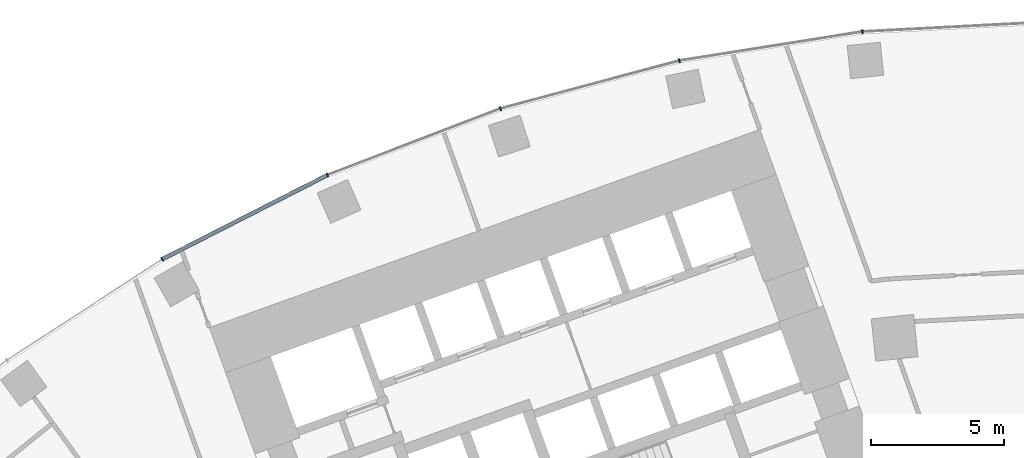
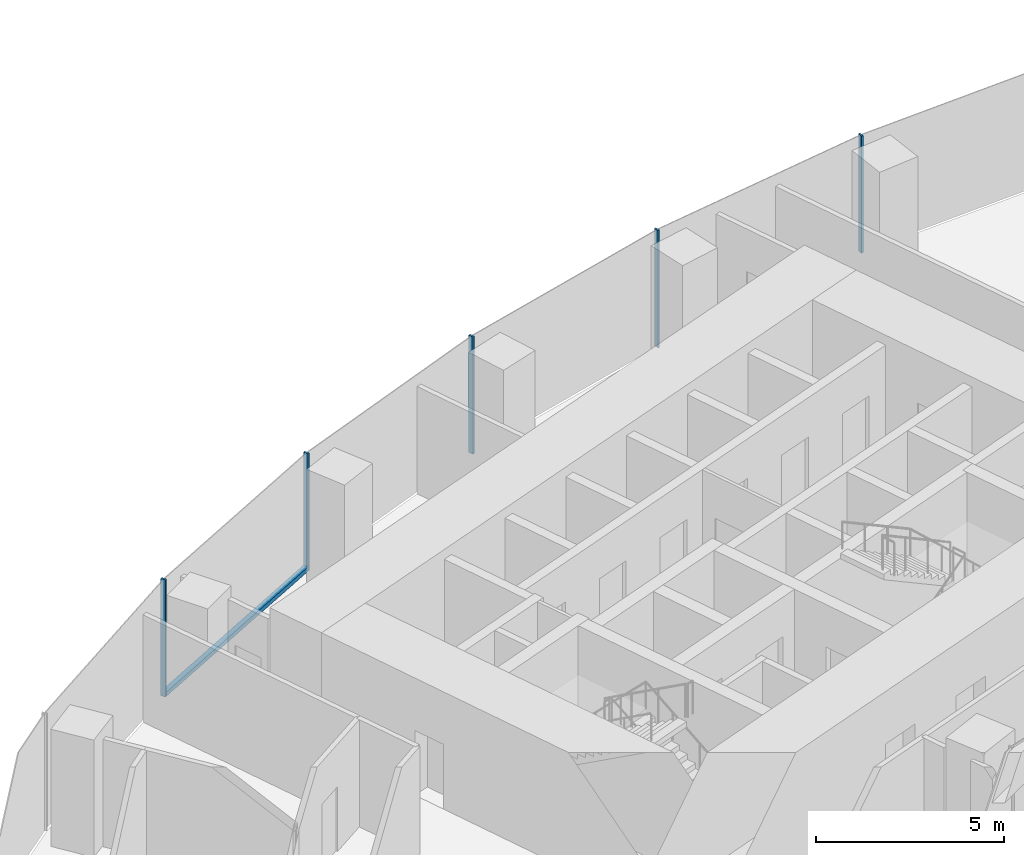
# One storey, part 6 of 21: 6 members, 1 element without a shape of its own.
"""IFC4 building model written with IfcOpenShell, lengths in metres."""

import ifcopenshell
import ifcopenshell.guid

model = None  # the IFC model being written
_history = None  # IfcOwnerHistory: only IFC2X3 demands one
_inside = {}  # id of a spatial element -> (the spatial element, [elements in it])
_under = {}  # id of a project, library or spatial element -> (it, [spatial elements below it])
_declared = {}  # id of a project -> (the project, [libraries it declares])
_typed = {}  # id of a type object -> (the type object, [elements of that type])
_made_of = {}  # id of a material, layer set ... -> (it, [elements and type objects made of it])


def new_model(schema):
    """Start an empty IFC model of exactly this schema.

    Asked for "IFC4X3", IfcOpenShell would pick the latest addendum, in which some entities
    have other attributes; the version numbers below select the first issue.
    IFC2X3 requires an IfcOwnerHistory on every rooted entity: one is made here for all.
    """
    global model, _history
    if schema == "IFC4X3":
        model = ifcopenshell.file(schema_version=(4, 3, 0, 0))
    else:
        model = ifcopenshell.file(schema=schema)
    _inside.clear()
    _under.clear()
    _declared.clear()
    _typed.clear()
    _made_of.clear()
    _history = None
    if model.schema == "IFC2X3":
        org = make("IfcOrganization", Name="unknown")
        user = make(
            "IfcPersonAndOrganization",
            ThePerson=make("IfcPerson", FamilyName="unknown"),
            TheOrganization=org,
        )
        app = make(
            "IfcApplication",
            ApplicationDeveloper=org,
            Version="unknown",
            ApplicationFullName="unknown",
            ApplicationIdentifier="unknown",
        )
        _history = make(
            "IfcOwnerHistory",
            OwningUser=user,
            OwningApplication=app,
            ChangeAction="ADDED",
            CreationDate=0,
        )
    return model


def make(cls, **values):
    """One entity of the class cls with the attributes given. An attribute that is None is left unset."""
    return model.create_entity(
        cls, **{name: value for name, value in values.items() if value is not None}
    )


def rooted(cls, **values):
    """An entity with a GlobalId (a new one), such as an element, a storey or a relation."""
    return make(cls, GlobalId=ifcopenshell.guid.new(), OwnerHistory=_history, **values)


def si_unit(unit_type, name, prefix=None):
    """IfcSIUnit, for example si_unit("LENGTHUNIT", "METRE", prefix="MILLI")."""
    return make("IfcSIUnit", UnitType=unit_type, Prefix=prefix, Name=name)


def assignment(units):
    """IfcUnitAssignment: the units of a project."""
    return None if units is None else make("IfcUnitAssignment", Units=units)


def point(xyz):
    """IfcCartesianPoint."""
    return None if xyz is None else make("IfcCartesianPoint", Coordinates=xyz)


def direction(xyz):
    """IfcDirection."""
    return None if xyz is None else make("IfcDirection", DirectionRatios=xyz)


def frame(location, z_axis=None, x_axis=None):
    """IfcAxis2Placement3D, a coordinate frame: its origin and axes. An axis left out is left unset."""
    return make(
        "IfcAxis2Placement3D",
        Location=point(location),
        Axis=direction(z_axis),
        RefDirection=direction(x_axis),
    )


def frame_2d(location, x_axis=None):
    """IfcAxis2Placement2D, a coordinate frame in the plane: its origin and x axis."""
    return make(
        "IfcAxis2Placement2D", Location=point(location), RefDirection=direction(x_axis)
    )


def origin():
    """The frame at (0, 0, 0) with its axes left unset."""
    return frame((0.0, 0.0, 0.0))


def origin_2d():
    """The frame at (0, 0) in the plane with its x axis left unset."""
    return frame_2d((0.0, 0.0))


def place(relative_to, where):
    """IfcLocalPlacement: puts the frame where relative to a parent placement (None: the world)."""
    return make(
        "IfcLocalPlacement", PlacementRelTo=relative_to, RelativePlacement=where
    )


def context(
    kind, dimensions, precision=None, world=None, true_north=None, identifier=None
):
    """IfcGeometricRepresentationContext, for example the 3D "Model" context."""
    return make(
        "IfcGeometricRepresentationContext",
        ContextIdentifier=identifier,
        ContextType=kind,
        CoordinateSpaceDimension=dimensions,
        Precision=precision,
        WorldCoordinateSystem=world,
        TrueNorth=true_north,
    )


def subcontext(parent, identifier, kind, view, scale=None):
    """IfcGeometricRepresentationSubContext, for example "Body" below "Model"."""
    return make(
        "IfcGeometricRepresentationSubContext",
        ContextIdentifier=identifier,
        ContextType=kind,
        ParentContext=parent,
        TargetScale=scale,
        TargetView=view,
    )


def project(units=None, contexts=None):
    """IfcProject with its units and contexts."""
    return rooted(
        "IfcProject",
        Name="project",
        RepresentationContexts=contexts,
        UnitsInContext=assignment(units),
    )


def spatial(cls, under=None, at=None, **own):
    """A site, building, storey or space (cls), placed at a placement, below another one or the project."""
    s = rooted(cls, ObjectPlacement=at, **own)
    if under is not None:
        _under.setdefault(under.id(), (under, []))[1].append(s)
    return s


def profile(cls, at=None, kind="AREA", **sizes):
    """A parametric profile (cls). Its sizes go by their IFC names, for example OverallWidth=200.0."""
    return make(cls, ProfileType=kind, Position=at, **sizes)


def rectangle(**sizes):
    """IfcRectangleProfileDef."""
    return profile("IfcRectangleProfileDef", **sizes)


def extrude(swept, where, along, depth):
    """IfcExtrudedAreaSolid: the profile swept, set in the frame where, extruded along a direction by depth."""
    return make(
        "IfcExtrudedAreaSolid",
        SweptArea=swept,
        Position=where,
        ExtrudedDirection=direction(along),
        Depth=depth,
    )


def shape(context_of_items, identifier, shape_type, items):
    """IfcShapeRepresentation: the items that make up one representation, for example the "Body"."""
    return make(
        "IfcShapeRepresentation",
        ContextOfItems=context_of_items,
        RepresentationIdentifier=identifier,
        RepresentationType=shape_type,
        Items=items,
    )


def material(Name=None, Category=None):
    """IfcMaterial."""
    return make("IfcMaterial", Name=Name, Category=Category)


def layer(
    of_material, thickness, ventilated=None, Name=None, Category=None, Priority=None
):
    """IfcMaterialLayer: one layer of a wall or slab, of a material (None: an air gap)."""
    return make(
        "IfcMaterialLayer",
        Material=of_material,
        LayerThickness=thickness,
        IsVentilated=ventilated,
        Name=Name,
        Category=Category,
        Priority=Priority,
    )


def layer_set(layers, Name=None):
    """IfcMaterialLayerSet."""
    return make("IfcMaterialLayerSet", MaterialLayers=layers, LayerSetName=Name)


def material_profile(
    of_material, cross_section, Name=None, Category=None, Priority=None
):
    """IfcMaterialProfile: a cross section and its material."""
    return make(
        "IfcMaterialProfile",
        Name=Name,
        Material=of_material,
        Profile=cross_section,
        Priority=Priority,
        Category=Category,
    )


def profile_set(profiles, Name=None, composite=None):
    """IfcMaterialProfileSet."""
    return make(
        "IfcMaterialProfileSet",
        Name=Name,
        MaterialProfiles=profiles,
        CompositeProfile=composite,
    )


def made_of(thing, what):
    """Note that an element or type object is made of a material, layer set ...; save() writes the relation."""
    if what is not None:
        _made_of.setdefault(what.id(), (what, []))[1].append(thing)
    return thing


def type_object(cls, material=None, **own):
    """A type object (cls), such as IfcWallType, which elements share."""
    return made_of(rooted(cls, **own), material)


def element(
    cls,
    number,
    at=None,
    inside=None,
    cuts=None,
    type_object=None,
    material=None,
    context=None,
    identifier="Body",
    shape_type=None,
    held_by="IfcProductDefinitionShape",
    body=None,
    shapes=None,
    **own,
):
    """One element of the class cls, such as IfcWall. Its Tag is "e" and its number.

    at: its placement. inside: the storey or other place that contains it. cuts: it is an
    opening in that element (IfcRelVoidsElement). A single representation is given by context,
    identifier, shape_type and body (its items); several are given by shapes. held_by: the class
    of the entity that holds the representations. save() writes the other relations.
    """
    e = rooted(cls, Tag="e%d" % number, ObjectPlacement=at, **own)
    if body is not None:
        shapes = [shape(context, identifier, shape_type, body)]
    if shapes is not None:
        e.Representation = make(held_by, Representations=shapes)
    if inside is not None:
        _inside.setdefault(inside.id(), (inside, []))[1].append(e)
    if cuts is not None:
        rooted(
            "IfcRelVoidsElement", RelatingBuildingElement=cuts, RelatedOpeningElement=e
        )
    if type_object is not None:
        _typed.setdefault(type_object.id(), (type_object, []))[1].append(e)
    return made_of(e, material)


def aggregate(whole, parts):
    """IfcRelAggregates: a whole, such as a stair, and the parts it consists of."""
    return rooted("IfcRelAggregates", RelatingObject=whole, RelatedObjects=parts)


def save(model, path):
    """Write the relations noted so far, then the file.

    IfcRelAggregates (storeys below a building ...), IfcRelContainedInSpatialStructure (elements
    in a storey), IfcRelDefinesByType, IfcRelAssociatesMaterial and IfcRelDeclares: one each for
    every whole, place, type object, material and project.
    """
    for whole, parts in _under.values():
        aggregate(whole, parts)
    for where, things in _inside.values():
        rooted(
            "IfcRelContainedInSpatialStructure",
            RelatedElements=things,
            RelatingStructure=where,
        )
    for kind, things in _typed.values():
        rooted("IfcRelDefinesByType", RelatedObjects=things, RelatingType=kind)
    for what, things in _made_of.values():
        rooted("IfcRelAssociatesMaterial", RelatedObjects=things, RelatingMaterial=what)
    for by, libraries in _declared.values():
        rooted("IfcRelDeclares", RelatingContext=by, RelatedDefinitions=libraries)
    model.write(path)


model = new_model("IFC4")

# Units and contexts
model_context = context("Model", 3, precision=1e-05, world=origin(), true_north=direction((0.0, 1.0)))
body_context = subcontext(model_context, "Body", "Model", "MODEL_VIEW")
ifc_project = project(units=[si_unit("LENGTHUNIT", "METRE"), si_unit("AREAUNIT", "SQUARE_METRE"), si_unit("VOLUMEUNIT", "CUBIC_METRE"), si_unit("PLANEANGLEUNIT", "RADIAN"), si_unit("MASSUNIT", "GRAM", prefix="KILO")], contexts=[model_context])

# Site, building, storey
site_placement = place(None, origin())
site = spatial("IfcSite", under=ifc_project, at=site_placement, CompositionType="ELEMENT")
building_placement = place(site_placement, origin())
building = spatial("IfcBuilding", under=site, at=building_placement, Name="Stone Belt Terrace Tower", CompositionType="ELEMENT")
storey_placement = place(building_placement, frame((0.0, 0.0, 68.0)))
storey = spatial("IfcBuildingStorey", under=building, at=storey_placement, Name="L16", CompositionType="ELEMENT", Elevation=68.0)

# Curtain wall, members
ifc_material = material(Name="Aluminium 6063-T6 anodised frame", Category="aluminium")
ifc_layer = layer(ifc_material, 0.14990234375)
ifc_layer_set = layer_set([ifc_layer], Name="CW-A unitised convex-face curtain wall")
curtain_wall_type = type_object("IfcCurtainWallType", Name="CW-A unitised convex-face curtain wall", PredefinedType="NOTDEFINED", material=ifc_layer_set)
curtain_wall_placement = place(storey_placement, origin())
curtain_wall = element("IfcCurtainWall", 1, at=curtain_wall_placement, inside=storey, type_object=curtain_wall_type, Name="CW-A convex face L16", PredefinedType="NOTDEFINED")
ifc_material_profile_1 = material_profile(ifc_material, rectangle(XDim=0.14990234375, YDim=0.06005859375, at=origin_2d()), Name="Aluminium 6063-T6 60x150")
ifc_profile_set_1 = profile_set([ifc_material_profile_1], Name="Aluminium 6063-T6 anodised frame")
member_type_1 = type_object("IfcMemberType", Name="CW-A mullion 60 x 150", PredefinedType="MULLION", material=ifc_profile_set_1)
member_1_placement = place(storey_placement, frame((-6.958984375, 66.21044921875, 0.0), z_axis=(0.0, 0.0, 1.0), x_axis=(0.104528463268, -0.994521895368, 0.0)))
member_1 = element("IfcMember", 2, at=member_1_placement, type_object=member_type_1, Name="CW-A mullion 10", PredefinedType="MULLION", context=body_context, shape_type="SweptSolid", body=[
    extrude(rectangle(XDim=0.14990234375, YDim=0.06005859375, at=origin_2d()), origin(), (0.0, 0.0, 1.0), 3.800048828125),
])
member_2_placement = place(storey_placement, frame((-13.841796875, 65.120361328125, 0.0), z_axis=(0.0, 0.0, 1.0), x_axis=(0.207911690818, -0.978147600734, 0.0)))
member_2 = element("IfcMember", 3, at=member_2_placement, type_object=member_type_1, Name="CW-A mullion 11", PredefinedType="MULLION", context=body_context, shape_type="SweptSolid", body=[
    extrude(rectangle(XDim=0.14990234375, YDim=0.06005859375, at=origin_2d()), origin(), (0.0, 0.0, 1.0), 3.800048828125),
])
member_3_placement = place(storey_placement, frame((-20.57275390625, 63.316650390625, 0.0), z_axis=(0.0, 0.0, 1.0), x_axis=(0.309016994375, -0.951056516295, 0.0)))
member_3 = element("IfcMember", 4, at=member_3_placement, type_object=member_type_1, Name="CW-A mullion 12", PredefinedType="MULLION", context=body_context, shape_type="SweptSolid", body=[
    extrude(rectangle(XDim=0.14990234375, YDim=0.06005859375, at=origin_2d()), origin(), (0.0, 0.0, 1.0), 3.800048828125),
])
member_4_placement = place(storey_placement, frame((-27.07861328125, 60.8193359375, 0.0), z_axis=(0.0, 0.0, 1.0), x_axis=(0.406736643076, -0.913545457643, 0.0)))
member_4 = element("IfcMember", 5, at=member_4_placement, type_object=member_type_1, Name="CW-A mullion 13", PredefinedType="MULLION", context=body_context, shape_type="SweptSolid", body=[
    extrude(rectangle(XDim=0.14990234375, YDim=0.06005859375, at=origin_2d()), origin(), (0.0, 0.0, 1.0), 3.800048828125),
])
member_5_placement = place(storey_placement, frame((-33.28759765625, 57.65576171875, 0.0), z_axis=(0.0, 0.0, 1.0), x_axis=(0.5, -0.866025403784, 0.0)))
member_5 = element("IfcMember", 6, at=member_5_placement, type_object=member_type_1, Name="CW-A mullion 14", PredefinedType="MULLION", context=body_context, shape_type="SweptSolid", body=[
    extrude(rectangle(XDim=0.14990234375, YDim=0.06005859375, at=origin_2d()), origin(), (0.0, 0.0, 1.0), 3.800048828125),
])
ifc_material_profile_2 = material_profile(ifc_material, rectangle(XDim=0.14990234375, YDim=0.139892578125, at=origin_2d()), Name="Aluminium 6063-T6 150x140")
ifc_profile_set_2 = profile_set([ifc_material_profile_2], Name="Aluminium 6063-T6 anodised frame")
member_type_2 = type_object("IfcMemberType", Name="CW-A transom 140 x 150", PredefinedType="USERDEFINED", material=ifc_profile_set_2)
member_6_placement = place(storey_placement, frame((-27.108642578125, 60.803955078125, 0.070068359375), z_axis=(-0.891012226264, -0.453979308613, 0.0), x_axis=(0.453979308613, -0.891012226264, 0.0)))
member_6 = element("IfcMember", 7, at=member_6_placement, type_object=member_type_2, Name="CW-A transom 13.1", ObjectType="TRANSOM", PredefinedType="USERDEFINED", context=body_context, shape_type="SweptSolid", body=[
    extrude(rectangle(XDim=0.14990234375, YDim=0.139892578125, at=origin_2d()), origin(), (0.0, 0.0, 1.0), 6.90087890625),
])
aggregate(curtain_wall, [member_1, member_2, member_3, member_4, member_5, member_6])

save(model, "model.ifc")
